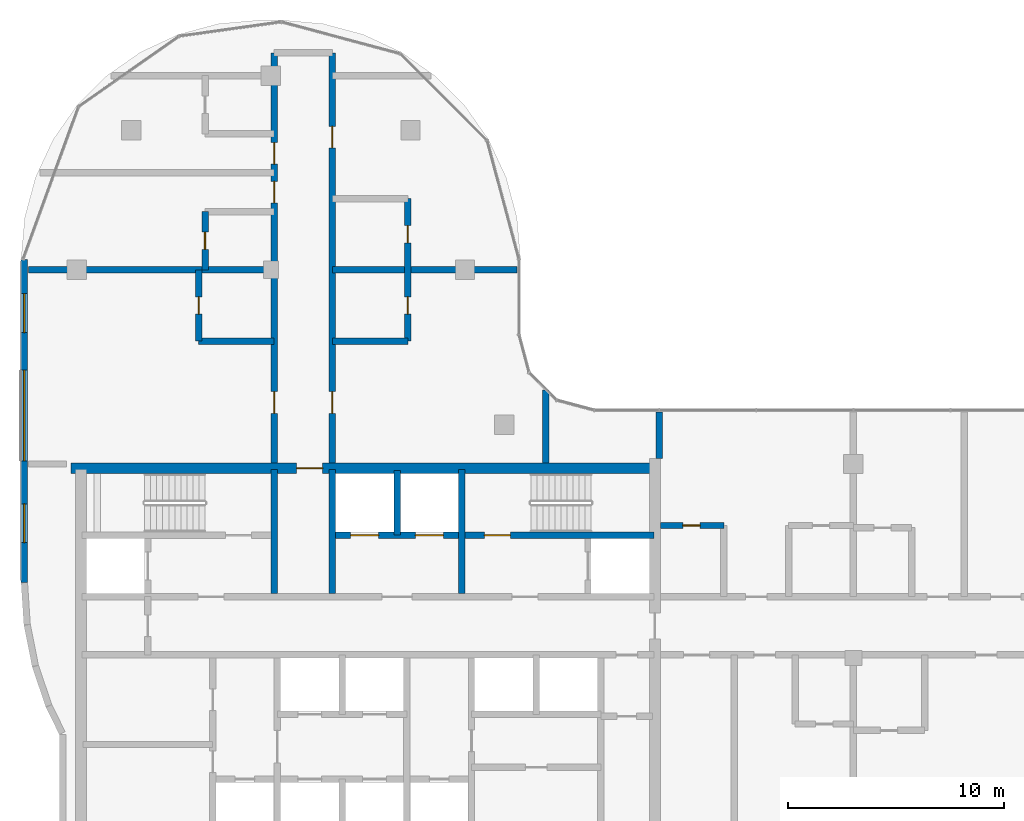
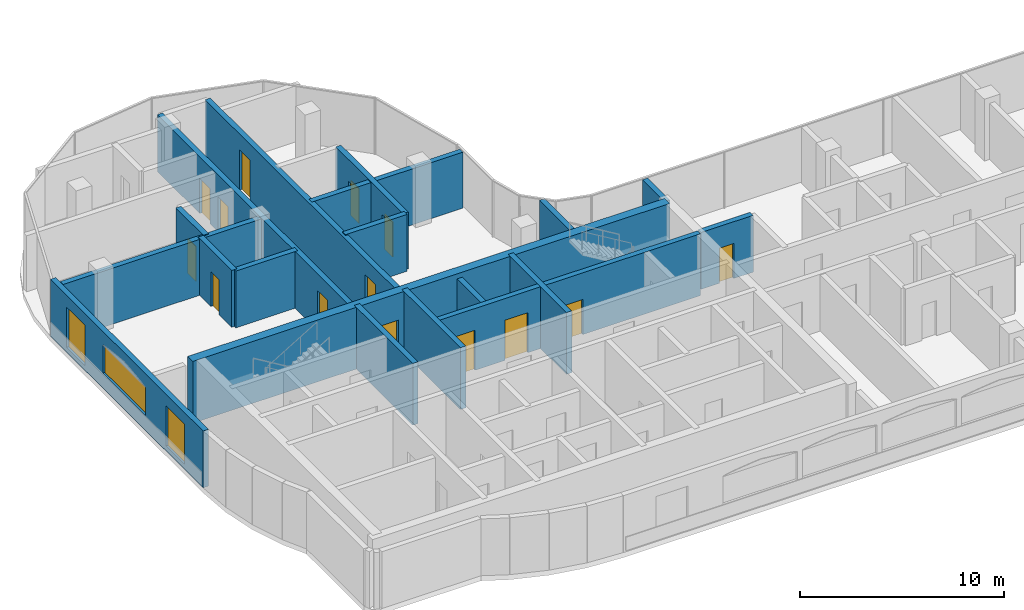
# One storey, part 10 of 18: 19 walls, 14 doors, 3 windows, 17 openings.
"""IFC4 building model written with IfcOpenShell, lengths in metres."""

from ifc_helpers import new_model, si_unit, direction, frame, frame_2d, origin, place, context, subcontext, project, spatial, rectangle, extrude, material, layer, layer_set, type_object, element, fill, save


model = new_model("IFC4")

# Units and contexts
model_context = context("Model", 3, precision=1e-05, world=origin(), true_north=direction((0.0, 1.0)))
body_context = subcontext(model_context, "Body", "Model", "MODEL_VIEW")
ifc_project = project(units=[si_unit("LENGTHUNIT", "METRE"), si_unit("AREAUNIT", "SQUARE_METRE"), si_unit("VOLUMEUNIT", "CUBIC_METRE"), si_unit("PLANEANGLEUNIT", "RADIAN"), si_unit("MASSUNIT", "GRAM", prefix="KILO")], contexts=[model_context])

# Site, building, storey
site_placement = place(None, origin())
site = spatial("IfcSite", under=ifc_project, at=site_placement, CompositionType="ELEMENT")
building_placement = place(site_placement, origin())
building = spatial("IfcBuilding", under=site, at=building_placement, Name="Ogive Portal Towers", CompositionType="ELEMENT")
storey_placement = place(building_placement, frame((0.0, 0.0, 240.199951171875)))
storey = spatial("IfcBuildingStorey", under=building, at=storey_placement, Name="L60", CompositionType="ELEMENT", Elevation=240.199951171875)

# Wall, openings, doors
ifc_material_1 = material(Name="Concrete C60/75", Category="concrete")
ifc_layer_1 = layer(ifc_material_1, 0.300048828125)
ifc_layer_set_1 = layer_set([ifc_layer_1], Name="CORE WALL 300 C60")
wall_type_1 = type_object("IfcWallType", Name="CORE WALL 300 C60", PredefinedType="SHEAR", material=ifc_layer_set_1)
wall_1_placement = place(storey_placement, frame((43.5, 36.199951171875, 0.0), z_axis=(0.0, 0.0, 1.0), x_axis=(1.0, 0.0, 0.0)))
wall_1 = element("IfcWall", 1, at=wall_1_placement, inside=storey, type_object=wall_type_1, Name="Core wall Y3b L60", PredefinedType="SHEAR", context=body_context, shape_type="SweptSolid", body=[
    extrude(rectangle(XDim=14.75, YDim=0.300048828125, at=frame_2d((7.375, 0.0))), origin(), (0.0, 0.0, 1.0), 3.699951171875),
])
opening_1_placement = place(wall_1_placement, frame((6.89990234375, 0.0, 0.0)))
opening_1 = element("IfcOpeningElement", 2, at=opening_1_placement, cuts=wall_1, Name="Opening D26-006", PredefinedType="OPENING", context=body_context, shape_type="SweptSolid", body=[
    extrude(rectangle(XDim=1.199951171875, YDim=2.10009765625, at=frame_2d((0.60009765625, 1.050048828125))), frame((0.0, 0.16015625, 0.0), z_axis=(0.0, -1.0, 0.0), x_axis=(1.0, 0.0, 0.0)), (0.0, 0.0, 1.0), 0.320068359375),
])
opening_2_placement = place(wall_1_placement, frame((0.699951171875, 0.0, 0.0)))
opening_2 = element("IfcOpeningElement", 3, at=opening_2_placement, cuts=wall_1, Name="Opening D26-017", PredefinedType="OPENING", context=body_context, shape_type="SweptSolid", body=[
    extrude(rectangle(XDim=1.300048828125, YDim=2.39990234375, at=frame_2d((0.64990234375, 1.199951171875))), frame((0.0, 0.16015625, 0.0), z_axis=(0.0, -1.0, 0.0), x_axis=(1.0, 0.0, 0.0)), (0.0, 0.0, 1.0), 0.320068359375),
])
opening_3_placement = place(wall_1_placement, frame((3.699951171875, 0.0, 0.0)))
opening_3 = element("IfcOpeningElement", 4, at=opening_3_placement, cuts=wall_1, Name="Opening D26-018", PredefinedType="OPENING", context=body_context, shape_type="SweptSolid", body=[
    extrude(rectangle(XDim=1.300048828125, YDim=2.39990234375, at=frame_2d((0.64990234375, 1.199951171875))), frame((0.0, 0.16015625, 0.0), z_axis=(0.0, -1.0, 0.0), x_axis=(1.0, 0.0, 0.0)), (0.0, 0.0, 1.0), 0.320068359375),
])
ifc_material_2 = material(Name="Stainless steel", Category="steel")
door_type_1 = type_object("IfcDoorType", Name="DT-LD-1300x2400", OperationType="SLIDING_TO_LEFT", PredefinedType="DOOR", material=ifc_material_2)
door_1_placement = place(opening_2_placement, origin())
door_1 = element("IfcDoor", 5, at=door_1_placement, inside=storey, type_object=door_type_1, Name="Door D26-017", OperationType="SLIDING_TO_LEFT", OverallHeight=2.39990234375, OverallWidth=1.300048828125, PredefinedType="DOOR", context=body_context, shape_type="SweptSolid", body=[
    extrude(rectangle(XDim=1.300048828125, YDim=2.39990234375, at=frame_2d((0.64990234375, 1.199951171875))), frame((0.0, 0.02490234375, 0.0), z_axis=(0.0, -1.0, 0.0), x_axis=(1.0, 0.0, 0.0)), (0.0, 0.0, 1.0), 0.050048828125),
])
fill(opening_2, door_1)
door_2_placement = place(opening_3_placement, origin())
door_2 = element("IfcDoor", 6, at=door_2_placement, inside=storey, type_object=door_type_1, Name="Door D26-018", OperationType="SLIDING_TO_LEFT", OverallHeight=2.39990234375, OverallWidth=1.300048828125, PredefinedType="DOOR", context=body_context, shape_type="SweptSolid", body=[
    extrude(rectangle(XDim=1.300048828125, YDim=2.39990234375, at=frame_2d((0.64990234375, 1.199951171875))), frame((0.0, 0.02490234375, 0.0), z_axis=(0.0, -1.0, 0.0), x_axis=(1.0, 0.0, 0.0)), (0.0, 0.0, 1.0), 0.050048828125),
])
fill(opening_3, door_2)
ifc_material_3 = material(Name="Steel fire door", Category="steel")
door_type_2 = type_object("IfcDoorType", Name="DT-SWING-1200x2100-FD90S", OperationType="SINGLE_SWING_LEFT", PredefinedType="DOOR", material=ifc_material_3)
door_3_placement = place(opening_1_placement, origin())
door_3 = element("IfcDoor", 7, at=door_3_placement, inside=storey, type_object=door_type_2, Name="Door D26-006", OperationType="SINGLE_SWING_LEFT", OverallHeight=2.10009765625, OverallWidth=1.199951171875, PredefinedType="DOOR", context=body_context, shape_type="SweptSolid", body=[
    extrude(rectangle(XDim=1.199951171875, YDim=2.10009765625, at=frame_2d((0.60009765625, 1.050048828125))), frame((0.0, 0.02490234375, 0.0), z_axis=(0.0, -1.0, 0.0), x_axis=(1.0, 0.0, 0.0)), (0.0, 0.0, 1.0), 0.050048828125),
])
fill(opening_1, door_3)

# Walls
for number, where, z_axis, x_axis, name in (
    (8, (40.64990234375, 33.5, 0.0), (0.0, 0.0, 1.0), (0.0, 1.0, 0.0), "Core wall X6 L60"),
    (9, (43.35009765625, 33.5, 0.0), (0.0, 0.0, 1.0), (0.0, 1.0, 0.0), "Core wall X7 L60"),
    (10, (49.35009765625, 33.5, 0.0), (0.0, 0.0, 1.0), (0.0, 1.0, 0.0), "Core wall X9 L60"),
):
    element("IfcWall", number, at=place(storey_placement, frame(where, z_axis=z_axis, x_axis=x_axis)), inside=storey, type_object=wall_type_1, Name=name, PredefinedType="SHEAR", context=body_context, shape_type="SweptSolid", body=[
        extrude(rectangle(XDim=5.75, YDim=0.300048828125, at=frame_2d((2.875, 0.0))), origin(), (0.0, 0.0, 1.0), 3.699951171875),
    ])

# Wall, opening, door
ifc_layer_2 = layer(ifc_material_1, 0.5)
ifc_layer_set_2 = layer_set([ifc_layer_2], Name="CORE WALL 500 C60")
wall_type_2 = type_object("IfcWallType", Name="CORE WALL 500 C60", PredefinedType="SHEAR", material=ifc_layer_set_2)
wall_2_placement = place(storey_placement, frame((31.25, 39.300048828125, 0.0), z_axis=(0.0, 0.0, 1.0), x_axis=(1.0, 0.0, 0.0)))
wall_2 = element("IfcWall", 11, at=wall_2_placement, inside=storey, type_object=wall_type_2, Name="Core wall N L60", PredefinedType="SHEAR", context=body_context, shape_type="SweptSolid", body=[
    extrude(rectangle(XDim=27.0, YDim=0.5, at=frame_2d((13.5, 0.0))), origin(), (0.0, 0.0, 1.0), 3.699951171875),
])
opening_4_placement = place(wall_2_placement, frame((10.449951171875, 0.0, 0.0)))
opening_4 = element("IfcOpeningElement", 12, at=opening_4_placement, cuts=wall_2, Name="Opening D26-012", PredefinedType="OPENING", context=body_context, shape_type="SweptSolid", body=[
    extrude(rectangle(XDim=1.199951171875, YDim=2.10009765625, at=frame_2d((0.60009765625, 1.050048828125))), frame((0.0, 0.260009765625, 0.0), z_axis=(0.0, -1.0, 0.0), x_axis=(1.0, 0.0, 0.0)), (0.0, 0.0, 1.0), 0.52001953125),
])
door_4_placement = place(opening_4_placement, origin())
door_4 = element("IfcDoor", 13, at=door_4_placement, inside=storey, type_object=door_type_2, Name="Door D26-012", OperationType="SINGLE_SWING_RIGHT", OverallHeight=2.10009765625, OverallWidth=1.199951171875, PredefinedType="DOOR", context=body_context, shape_type="SweptSolid", body=[
    extrude(rectangle(XDim=1.199951171875, YDim=2.10009765625, at=frame_2d((0.60009765625, 1.050048828125))), frame((0.0, 0.02490234375, 0.0), z_axis=(0.0, -1.0, 0.0), x_axis=(1.0, 0.0, 0.0)), (0.0, 0.0, 1.0), 0.050048828125),
])
fill(opening_4, door_4)

# Wall, openings, windows
ifc_material_4 = material(Name="Limestone cladding on lightweight block wall", Category="masonry")
ifc_layer_3 = layer(ifc_material_4, 0.300048828125)
ifc_layer_set_3 = layer_set([ifc_layer_3], Name="EXTERNAL WALL 300 STONE")
wall_type_3 = type_object("IfcWallType", Name="EXTERNAL WALL 300 STONE", PredefinedType="SOLIDWALL", material=ifc_layer_set_3)
wall_3_placement = place(storey_placement, frame((29.074951171875, 48.98583984375, 0.0), z_axis=(0.0, 0.0, 1.0), x_axis=(0.0, -1.0, 0.0)))
wall_3 = element("IfcWall", 14, at=wall_3_placement, inside=storey, type_object=wall_type_3, Name="A:L60:f27:r0:wall", PredefinedType="SOLIDWALL", context=body_context, shape_type="SweptSolid", body=[
    extrude(rectangle(XDim=14.97607421875, YDim=0.300048828125, at=frame_2d((7.488037109375, 0.0))), origin(), (0.0, 0.0, 1.0), 3.400146484375),
])
opening_5_placement = place(wall_3_placement, frame((1.593017578125, 0.0, 0.300048828125)))
opening_5 = element("IfcOpeningElement", 15, at=opening_5_placement, cuts=wall_3, Name="Opening WN10", PredefinedType="OPENING", context=body_context, shape_type="SweptSolid", body=[
    extrude(rectangle(XDim=1.800048828125, YDim=2.39990234375, at=frame_2d((0.89990234375, 1.199951171875))), frame((0.0, 0.16015625, 0.0), z_axis=(0.0, -1.0, 0.0), x_axis=(1.0, 0.0, 0.0)), (0.0, 0.0, 1.0), 0.320068359375),
])
opening_6_placement = place(wall_3_placement, frame((5.135986328125, 0.0, 0.89990234375)))
opening_6 = element("IfcOpeningElement", 16, at=opening_6_placement, cuts=wall_3, Name="Opening WN13", PredefinedType="OPENING", context=body_context, shape_type="SweptSolid", body=[
    extrude(rectangle(XDim=4.199951171875, YDim=1.699951171875, at=frame_2d((2.10009765625, 0.85009765625))), frame((0.0, 0.16015625, 0.0), z_axis=(0.0, -1.0, 0.0), x_axis=(1.0, 0.0, 0.0)), (0.0, 0.0, 1.0), 0.320068359375),
])
opening_7_placement = place(wall_3_placement, frame((11.3310546875, 0.0, 0.300048828125)))
opening_7 = element("IfcOpeningElement", 17, at=opening_7_placement, cuts=wall_3, Name="Opening WN10", PredefinedType="OPENING", context=body_context, shape_type="SweptSolid", body=[
    extrude(rectangle(XDim=1.800048828125, YDim=2.39990234375, at=frame_2d((0.89990234375, 1.199951171875))), frame((0.0, 0.16015625, 0.0), z_axis=(0.0, -1.0, 0.0), x_axis=(1.0, 0.0, 0.0)), (0.0, 0.0, 1.0), 0.320068359375),
])
ifc_material_5 = material(Name="Glass, clear low-iron insulated glazing", Category="glass")
window_type_1 = type_object("IfcWindowType", Name="WINDOW RIBBON LANCET 4200x1700", PartitioningType="TRIPLE_PANEL_VERTICAL", PredefinedType="WINDOW", material=ifc_material_5)
window_1_placement = place(opening_6_placement, origin())
window_1 = element("IfcWindow", 18, at=window_1_placement, inside=storey, type_object=window_type_1, Name="A:L60:f27:r0:w1", OverallHeight=1.699951171875, OverallWidth=4.199951171875, PartitioningType="SINGLE_PANEL", PredefinedType="WINDOW", context=body_context, shape_type="SweptSolid", body=[
    extrude(rectangle(XDim=4.199951171875, YDim=1.699951171875, at=frame_2d((2.10009765625, 0.85009765625))), frame((0.0, 0.030029296875, 0.0), z_axis=(0.0, -1.0, 0.0), x_axis=(1.0, 0.0, 0.0)), (0.0, 0.0, 1.0), 0.06005859375),
])
fill(opening_6, window_1)
window_type_2 = type_object("IfcWindowType", Name="WINDOW SUITE CORNER 1800x2400", PartitioningType="DOUBLE_PANEL_VERTICAL", PredefinedType="WINDOW", material=ifc_material_5)
window_2_placement = place(opening_5_placement, origin())
window_2 = element("IfcWindow", 19, at=window_2_placement, inside=storey, type_object=window_type_2, Name="A:L60:f27:r0:w0", OverallHeight=2.39990234375, OverallWidth=1.800048828125, PartitioningType="SINGLE_PANEL", PredefinedType="WINDOW", context=body_context, shape_type="SweptSolid", body=[
    extrude(rectangle(XDim=1.800048828125, YDim=2.39990234375, at=frame_2d((0.89990234375, 1.199951171875))), frame((0.0, 0.030029296875, 0.0), z_axis=(0.0, -1.0, 0.0), x_axis=(1.0, 0.0, 0.0)), (0.0, 0.0, 1.0), 0.06005859375),
])
fill(opening_5, window_2)
window_3_placement = place(opening_7_placement, origin())
window_3 = element("IfcWindow", 20, at=window_3_placement, inside=storey, type_object=window_type_2, Name="A:L60:f27:r0:w2", OverallHeight=2.39990234375, OverallWidth=1.800048828125, PartitioningType="SINGLE_PANEL", PredefinedType="WINDOW", context=body_context, shape_type="SweptSolid", body=[
    extrude(rectangle(XDim=1.800048828125, YDim=2.39990234375, at=frame_2d((0.89990234375, 1.199951171875))), frame((0.0, 0.030029296875, 0.0), z_axis=(0.0, -1.0, 0.0), x_axis=(1.0, 0.0, 0.0)), (0.0, 0.0, 1.0), 0.06005859375),
])
fill(opening_7, window_3)

# Wall, opening, door
ifc_material_6 = material(Name="Gypsum board partition on steel studs", Category="steel")
ifc_layer_4 = layer(ifc_material_6, 0.300048828125)
ifc_layer_set_4 = layer_set([ifc_layer_4], Name="WT-PART-300-EI 60")
wall_type_4 = type_object("IfcWallType", Name="WT-PART-300-EI 60", PredefinedType="PARTITIONING", material=ifc_layer_set_4)
wall_4_placement = place(storey_placement, frame((58.550048828125, 36.64990234375, 0.0), z_axis=(0.0, 0.0, 1.0), x_axis=(1.0, 0.0, 0.0)))
wall_4 = element("IfcWall", 21, at=wall_4_placement, inside=storey, type_object=wall_type_4, Name="Wall L60:w011", PredefinedType="PARTITIONING", context=body_context, shape_type="SweptSolid", body=[
    extrude(rectangle(XDim=2.949951171875, YDim=0.300048828125, at=frame_2d((1.47509765625, 0.0))), origin(), (0.0, 0.0, 1.0), 3.400146484375),
])
opening_8_placement = place(wall_4_placement, frame((1.050048828125, 0.0, 0.0)))
opening_8 = element("IfcOpeningElement", 22, at=opening_8_placement, cuts=wall_4, Name="Opening D26-026", PredefinedType="OPENING", context=body_context, shape_type="SweptSolid", body=[
    extrude(rectangle(XDim=0.800048828125, YDim=2.10009765625, at=frame_2d((0.39990234375, 1.050048828125))), frame((0.0, 0.16015625, 0.0), z_axis=(0.0, -1.0, 0.0), x_axis=(1.0, 0.0, 0.0)), (0.0, 0.0, 1.0), 0.320068359375),
])
door_type_3 = type_object("IfcDoorType", Name="DT-BATH-800x2100-FD60S", OperationType="SINGLE_SWING_LEFT", PredefinedType="DOOR", material=ifc_material_3)
door_5_placement = place(opening_8_placement, origin())
door_5 = element("IfcDoor", 23, at=door_5_placement, inside=storey, type_object=door_type_3, Name="Door D26-026", OperationType="SINGLE_SWING_LEFT", OverallHeight=2.10009765625, OverallWidth=0.800048828125, PredefinedType="DOOR", context=body_context, shape_type="SweptSolid", body=[
    extrude(rectangle(XDim=0.800048828125, YDim=2.10009765625, at=frame_2d((0.39990234375, 1.050048828125))), frame((0.0, 0.02490234375, 0.0), z_axis=(0.0, -1.0, 0.0), x_axis=(1.0, 0.0, 0.0)), (0.0, 0.0, 1.0), 0.050048828125),
])
fill(opening_8, door_5)

# Walls
for number, where, z_axis, x_axis, name in (
    (24, (37.14990234375, 45.199951171875, 0.0), (0.0, 0.0, 1.0), (1.0, 0.0, 0.0), "Wall L60:w015"),
    (25, (43.35009765625, 45.199951171875, 0.0), (0.0, 0.0, 1.0), (1.0, 0.0, 0.0), "Wall L60:w016"),
):
    element("IfcWall", number, at=place(storey_placement, frame(where, z_axis=z_axis, x_axis=x_axis)), inside=storey, type_object=wall_type_4, Name=name, PredefinedType="PARTITIONING", context=body_context, shape_type="SweptSolid", body=[
        extrude(rectangle(XDim=3.5, YDim=0.300048828125, at=frame_2d((1.75, 0.0))), origin(), (0.0, 0.0, 1.0), 3.400146484375),
    ])
wall_5_placement = place(storey_placement, frame((29.27490234375, 48.5, 0.0), z_axis=(0.0, 0.0, 1.0), x_axis=(1.0, 0.0, 0.0)))
element("IfcWall", 26, at=wall_5_placement, inside=storey, type_object=wall_type_4, Name="Wall L60:w017", PredefinedType="PARTITIONING", context=body_context, shape_type="SweptSolid", body=[
    extrude(rectangle(XDim=11.375, YDim=0.300048828125, at=frame_2d((5.6875, 0.0))), origin(), (0.0, 0.0, 1.0), 3.35009765625),
])
wall_6_placement = place(storey_placement, frame((43.35009765625, 48.5, 0.0), z_axis=(0.0, 0.0, 1.0), x_axis=(1.0, 0.0, 0.0)))
element("IfcWall", 27, at=wall_6_placement, inside=storey, type_object=wall_type_4, Name="Wall L60:w018", PredefinedType="PARTITIONING", context=body_context, shape_type="SweptSolid", body=[
    extrude(rectangle(XDim=8.554931640625, YDim=0.300048828125, at=frame_2d((4.27734375, 0.0))), origin(), (0.0, 0.0, 1.0), 3.35009765625),
])

# Wall, opening, door
wall_7_placement = place(storey_placement, frame((37.14990234375, 45.199951171875, 0.0), z_axis=(0.0, 0.0, 1.0), x_axis=(0.0, 1.0, 0.0)))
wall_7 = element("IfcWall", 28, at=wall_7_placement, inside=storey, type_object=wall_type_4, Name="Wall L60:w026", PredefinedType="PARTITIONING", context=body_context, shape_type="SweptSolid", body=[
    extrude(rectangle(XDim=3.300048828125, YDim=0.300048828125, at=frame_2d((1.64990234375, 0.0))), origin(), (0.0, 0.0, 1.0), 3.400146484375),
])
opening_9_placement = place(wall_7_placement, frame((1.25, 0.0, 0.0)))
opening_9 = element("IfcOpeningElement", 29, at=opening_9_placement, cuts=wall_7, Name="Opening D26-044", PredefinedType="OPENING", context=body_context, shape_type="SweptSolid", body=[
    extrude(rectangle(XDim=0.800048828125, YDim=2.10009765625, at=frame_2d((0.39990234375, 1.050048828125))), frame((0.0, 0.16015625, 0.0), z_axis=(0.0, -1.0, 0.0), x_axis=(1.0, 0.0, 0.0)), (0.0, 0.0, 1.0), 0.320068359375),
])
door_6_placement = place(opening_9_placement, origin())
door_6 = element("IfcDoor", 30, at=door_6_placement, inside=storey, type_object=door_type_3, Name="Door D26-044", OperationType="SINGLE_SWING_LEFT", OverallHeight=2.10009765625, OverallWidth=0.800048828125, PredefinedType="DOOR", context=body_context, shape_type="SweptSolid", body=[
    extrude(rectangle(XDim=0.800048828125, YDim=2.10009765625, at=frame_2d((0.39990234375, 1.050048828125))), frame((0.0, 0.02490234375, 0.0), z_axis=(0.0, -1.0, 0.0), x_axis=(1.0, 0.0, 0.0)), (0.0, 0.0, 1.0), 0.050048828125),
])
fill(opening_9, door_6)

wall_8_placement = place(storey_placement, frame((37.449951171875, 48.5, 0.0), z_axis=(0.0, 0.0, 1.0), x_axis=(0.0, 1.0, 0.0)))
wall_8 = element("IfcWall", 31, at=wall_8_placement, inside=storey, type_object=wall_type_4, Name="Wall L60:w027", PredefinedType="PARTITIONING", context=body_context, shape_type="SweptSolid", body=[
    extrude(rectangle(XDim=2.699951171875, YDim=0.300048828125, at=frame_2d((1.35009765625, 0.0))), origin(), (0.0, 0.0, 1.0), 3.400146484375),
])
opening_10_placement = place(wall_8_placement, frame((0.949951171875, 0.0, 0.0)))
opening_10 = element("IfcOpeningElement", 32, at=opening_10_placement, cuts=wall_8, Name="Opening D26-048", PredefinedType="OPENING", context=body_context, shape_type="SweptSolid", body=[
    extrude(rectangle(XDim=0.800048828125, YDim=2.10009765625, at=frame_2d((0.39990234375, 1.050048828125))), frame((0.0, 0.16015625, 0.0), z_axis=(0.0, -1.0, 0.0), x_axis=(1.0, 0.0, 0.0)), (0.0, 0.0, 1.0), 0.320068359375),
])
door_7_placement = place(opening_10_placement, origin())
door_7 = element("IfcDoor", 33, at=door_7_placement, inside=storey, type_object=door_type_3, Name="Door D26-048", OperationType="SINGLE_SWING_RIGHT", OverallHeight=2.10009765625, OverallWidth=0.800048828125, PredefinedType="DOOR", context=body_context, shape_type="SweptSolid", body=[
    extrude(rectangle(XDim=0.800048828125, YDim=2.10009765625, at=frame_2d((0.39990234375, 1.050048828125))), frame((0.0, 0.02490234375, 0.0), z_axis=(0.0, -1.0, 0.0), x_axis=(1.0, 0.0, 0.0)), (0.0, 0.0, 1.0), 0.050048828125),
])
fill(opening_10, door_7)

# Wall, openings, doors
wall_9_placement = place(storey_placement, frame((40.64990234375, 39.550048828125, 0.0), z_axis=(0.0, 0.0, 1.0), x_axis=(0.0, 1.0, 0.0)))
wall_9 = element("IfcWall", 34, at=wall_9_placement, inside=storey, type_object=wall_type_4, Name="Wall L60:w029", PredefinedType="PARTITIONING", context=body_context, shape_type="SweptSolid", body=[
    extrude(rectangle(XDim=19.0, YDim=0.300048828125, at=frame_2d((9.5, 0.0))), origin(), (0.0, 0.0, 1.0), 3.400146484375),
])
opening_11_placement = place(wall_9_placement, frame((2.300048828125, 0.0, 0.0)))
opening_11 = element("IfcOpeningElement", 35, at=opening_11_placement, cuts=wall_9, Name="Opening D26-045", PredefinedType="OPENING", context=body_context, shape_type="SweptSolid", body=[
    extrude(rectangle(XDim=1.0, YDim=2.39990234375, at=frame_2d((0.5, 1.199951171875))), frame((0.0, 0.16015625, 0.0), z_axis=(0.0, -1.0, 0.0), x_axis=(1.0, 0.0, 0.0)), (0.0, 0.0, 1.0), 0.320068359375),
])
opening_12_placement = place(wall_9_placement, frame((12.050048828125, 0.0, 0.0)))
opening_12 = element("IfcOpeningElement", 36, at=opening_12_placement, cuts=wall_9, Name="Opening D26-049", PredefinedType="OPENING", context=body_context, shape_type="SweptSolid", body=[
    extrude(rectangle(XDim=1.0, YDim=2.10009765625, at=frame_2d((0.5, 1.050048828125))), frame((0.0, 0.16015625, 0.0), z_axis=(0.0, -1.0, 0.0), x_axis=(1.0, 0.0, 0.0)), (0.0, 0.0, 1.0), 0.320068359375),
])
opening_13_placement = place(wall_9_placement, frame((13.85009765625, 0.0, 0.0)))
opening_13 = element("IfcOpeningElement", 37, at=opening_13_placement, cuts=wall_9, Name="Opening D26-051", PredefinedType="OPENING", context=body_context, shape_type="SweptSolid", body=[
    extrude(rectangle(XDim=1.0, YDim=2.10009765625, at=frame_2d((0.5, 1.050048828125))), frame((0.0, 0.16015625, 0.0), z_axis=(0.0, -1.0, 0.0), x_axis=(1.0, 0.0, 0.0)), (0.0, 0.0, 1.0), 0.320068359375),
])
door_type_4 = type_object("IfcDoorType", Name="DT-ENTRY-1000x2100-FD60S", OperationType="SINGLE_SWING_LEFT", PredefinedType="DOOR", material=ifc_material_3)
door_8_placement = place(opening_12_placement, origin())
door_8 = element("IfcDoor", 38, at=door_8_placement, inside=storey, type_object=door_type_4, Name="Door D26-049", OperationType="SINGLE_SWING_LEFT", OverallHeight=2.10009765625, OverallWidth=1.0, PredefinedType="DOOR", context=body_context, shape_type="SweptSolid", body=[
    extrude(rectangle(XDim=1.0, YDim=2.10009765625, at=frame_2d((0.5, 1.050048828125))), frame((0.0, 0.02490234375, 0.0), z_axis=(0.0, -1.0, 0.0), x_axis=(1.0, 0.0, 0.0)), (0.0, 0.0, 1.0), 0.050048828125),
])
fill(opening_12, door_8)
door_9_placement = place(opening_13_placement, origin())
door_9 = element("IfcDoor", 39, at=door_9_placement, inside=storey, type_object=door_type_4, Name="Door D26-051", OperationType="SINGLE_SWING_LEFT", OverallHeight=2.10009765625, OverallWidth=1.0, PredefinedType="DOOR", context=body_context, shape_type="SweptSolid", body=[
    extrude(rectangle(XDim=1.0, YDim=2.10009765625, at=frame_2d((0.5, 1.050048828125))), frame((0.0, 0.02490234375, 0.0), z_axis=(0.0, -1.0, 0.0), x_axis=(1.0, 0.0, 0.0)), (0.0, 0.0, 1.0), 0.050048828125),
])
fill(opening_13, door_9)
door_type_5 = type_object("IfcDoorType", Name="DT-ENTRY-1000x2400-FD60S", OperationType="SINGLE_SWING_LEFT", PredefinedType="DOOR", material=ifc_material_3)
door_10_placement = place(opening_11_placement, origin())
door_10 = element("IfcDoor", 40, at=door_10_placement, inside=storey, type_object=door_type_5, Name="Door D26-045", OperationType="SINGLE_SWING_LEFT", OverallHeight=2.39990234375, OverallWidth=1.0, PredefinedType="DOOR", context=body_context, shape_type="SweptSolid", body=[
    extrude(rectangle(XDim=1.0, YDim=2.39990234375, at=frame_2d((0.5, 1.199951171875))), frame((0.0, 0.02490234375, 0.0), z_axis=(0.0, -1.0, 0.0), x_axis=(1.0, 0.0, 0.0)), (0.0, 0.0, 1.0), 0.050048828125),
])
fill(opening_11, door_10)

wall_10_placement = place(storey_placement, frame((43.35009765625, 39.550048828125, 0.0), z_axis=(0.0, 0.0, 1.0), x_axis=(0.0, 1.0, 0.0)))
wall_10 = element("IfcWall", 41, at=wall_10_placement, inside=storey, type_object=wall_type_4, Name="Wall L60:w030", PredefinedType="PARTITIONING", context=body_context, shape_type="SweptSolid", body=[
    extrude(rectangle(XDim=19.0, YDim=0.300048828125, at=frame_2d((9.5, 0.0))), origin(), (0.0, 0.0, 1.0), 3.35009765625),
])
opening_14_placement = place(wall_10_placement, frame((2.300048828125, 0.0, 0.0)))
opening_14 = element("IfcOpeningElement", 42, at=opening_14_placement, cuts=wall_10, Name="Opening D26-043", PredefinedType="OPENING", context=body_context, shape_type="SweptSolid", body=[
    extrude(rectangle(XDim=1.0, YDim=2.39990234375, at=frame_2d((0.5, 1.199951171875))), frame((0.0, 0.16015625, 0.0), z_axis=(0.0, -1.0, 0.0), x_axis=(1.0, 0.0, 0.0)), (0.0, 0.0, 1.0), 0.320068359375),
])
opening_15_placement = place(wall_10_placement, frame((14.60009765625, 0.0, 0.0)))
opening_15 = element("IfcOpeningElement", 43, at=opening_15_placement, cuts=wall_10, Name="Opening D26-047", PredefinedType="OPENING", context=body_context, shape_type="SweptSolid", body=[
    extrude(rectangle(XDim=1.0, YDim=2.39990234375, at=frame_2d((0.5, 1.199951171875))), frame((0.0, 0.16015625, 0.0), z_axis=(0.0, -1.0, 0.0), x_axis=(1.0, 0.0, 0.0)), (0.0, 0.0, 1.0), 0.320068359375),
])
door_11_placement = place(opening_14_placement, origin())
door_11 = element("IfcDoor", 44, at=door_11_placement, inside=storey, type_object=door_type_5, Name="Door D26-043", OperationType="SINGLE_SWING_LEFT", OverallHeight=2.39990234375, OverallWidth=1.0, PredefinedType="DOOR", context=body_context, shape_type="SweptSolid", body=[
    extrude(rectangle(XDim=1.0, YDim=2.39990234375, at=frame_2d((0.5, 1.199951171875))), frame((0.0, 0.02490234375, 0.0), z_axis=(0.0, -1.0, 0.0), x_axis=(1.0, 0.0, 0.0)), (0.0, 0.0, 1.0), 0.050048828125),
])
fill(opening_14, door_11)
door_12_placement = place(opening_15_placement, origin())
door_12 = element("IfcDoor", 45, at=door_12_placement, inside=storey, type_object=door_type_5, Name="Door D26-047", OperationType="SINGLE_SWING_RIGHT", OverallHeight=2.39990234375, OverallWidth=1.0, PredefinedType="DOOR", context=body_context, shape_type="SweptSolid", body=[
    extrude(rectangle(XDim=1.0, YDim=2.39990234375, at=frame_2d((0.5, 1.199951171875))), frame((0.0, 0.02490234375, 0.0), z_axis=(0.0, -1.0, 0.0), x_axis=(1.0, 0.0, 0.0)), (0.0, 0.0, 1.0), 0.050048828125),
])
fill(opening_15, door_12)

wall_11_placement = place(storey_placement, frame((46.85009765625, 45.199951171875, 0.0), z_axis=(0.0, 0.0, 1.0), x_axis=(0.0, 1.0, 0.0)))
wall_11 = element("IfcWall", 46, at=wall_11_placement, inside=storey, type_object=wall_type_4, Name="Wall L60:w031", PredefinedType="PARTITIONING", context=body_context, shape_type="SweptSolid", body=[
    extrude(rectangle(XDim=6.60009765625, YDim=0.300048828125, at=frame_2d((3.300048828125, 0.0))), origin(), (0.0, 0.0, 1.0), 3.400146484375),
])
opening_16_placement = place(wall_11_placement, frame((1.25, 0.0, 0.0)))
opening_16 = element("IfcOpeningElement", 47, at=opening_16_placement, cuts=wall_11, Name="Opening D26-042", PredefinedType="OPENING", context=body_context, shape_type="SweptSolid", body=[
    extrude(rectangle(XDim=0.800048828125, YDim=2.10009765625, at=frame_2d((0.39990234375, 1.050048828125))), frame((0.0, 0.16015625, 0.0), z_axis=(0.0, -1.0, 0.0), x_axis=(1.0, 0.0, 0.0)), (0.0, 0.0, 1.0), 0.320068359375),
])
opening_17_placement = place(wall_11_placement, frame((4.550048828125, 0.0, 0.0)))
opening_17 = element("IfcOpeningElement", 48, at=opening_17_placement, cuts=wall_11, Name="Opening D26-046", PredefinedType="OPENING", context=body_context, shape_type="SweptSolid", body=[
    extrude(rectangle(XDim=0.800048828125, YDim=2.10009765625, at=frame_2d((0.39990234375, 1.050048828125))), frame((0.0, 0.16015625, 0.0), z_axis=(0.0, -1.0, 0.0), x_axis=(1.0, 0.0, 0.0)), (0.0, 0.0, 1.0), 0.320068359375),
])
door_13_placement = place(opening_16_placement, origin())
door_13 = element("IfcDoor", 49, at=door_13_placement, inside=storey, type_object=door_type_3, Name="Door D26-042", OperationType="SINGLE_SWING_RIGHT", OverallHeight=2.10009765625, OverallWidth=0.800048828125, PredefinedType="DOOR", context=body_context, shape_type="SweptSolid", body=[
    extrude(rectangle(XDim=0.800048828125, YDim=2.10009765625, at=frame_2d((0.39990234375, 1.050048828125))), frame((0.0, 0.02490234375, 0.0), z_axis=(0.0, -1.0, 0.0), x_axis=(1.0, 0.0, 0.0)), (0.0, 0.0, 1.0), 0.050048828125),
])
fill(opening_16, door_13)
door_14_placement = place(opening_17_placement, origin())
door_14 = element("IfcDoor", 50, at=door_14_placement, inside=storey, type_object=door_type_3, Name="Door D26-046", OperationType="SINGLE_SWING_LEFT", OverallHeight=2.10009765625, OverallWidth=0.800048828125, PredefinedType="DOOR", context=body_context, shape_type="SweptSolid", body=[
    extrude(rectangle(XDim=0.800048828125, YDim=2.10009765625, at=frame_2d((0.39990234375, 1.050048828125))), frame((0.0, 0.02490234375, 0.0), z_axis=(0.0, -1.0, 0.0), x_axis=(1.0, 0.0, 0.0)), (0.0, 0.0, 1.0), 0.050048828125),
])
fill(opening_17, door_14)

# Walls
wall_12_placement = place(storey_placement, frame((53.25, 39.550048828125, 0.0), z_axis=(0.0, 0.0, 1.0), x_axis=(0.0, 1.0, 0.0)))
element("IfcWall", 51, at=wall_12_placement, inside=storey, type_object=wall_type_4, Name="Wall L60:w032", PredefinedType="PARTITIONING", context=body_context, shape_type="SweptSolid", body=[
    extrude(rectangle(XDim=3.369873046875, YDim=0.300048828125, at=frame_2d((1.68505859375, 0.0))), origin(), (0.0, 0.0, 1.0), 3.35009765625),
])
wall_13_placement = place(storey_placement, frame((58.5, 39.75, 0.0), z_axis=(0.0, 0.0, 1.0), x_axis=(0.0, 1.0, 0.0)))
element("IfcWall", 52, at=wall_13_placement, inside=storey, type_object=wall_type_4, Name="Wall L60:w034", PredefinedType="PARTITIONING", context=body_context, shape_type="SweptSolid", body=[
    extrude(rectangle(XDim=2.155029296875, YDim=0.300048828125, at=frame_2d((1.07763671875, 0.0))), origin(), (0.0, 0.0, 1.0), 3.35009765625),
])
ifc_material_7 = material(Name="Concrete C40/50", Category="concrete")
ifc_layer_5 = layer(ifc_material_7, 0.300048828125)
ifc_layer_set_5 = layer_set([ifc_layer_5], Name="WT-SHAFT-300")
wall_type_5 = type_object("IfcWallType", Name="WT-SHAFT-300", PredefinedType="SOLIDWALL", material=ifc_layer_set_5)
wall_14_placement = place(storey_placement, frame((46.35009765625, 36.199951171875, 0.0), z_axis=(0.0, 0.0, 1.0), x_axis=(0.0, 1.0, 0.0)))
element("IfcWall", 53, at=wall_14_placement, inside=storey, type_object=wall_type_5, Name="Wall pw:010:L60", PredefinedType="SOLIDWALL", context=body_context, shape_type="SweptSolid", body=[
    extrude(rectangle(XDim=3.0, YDim=0.300048828125, at=frame_2d((1.5, 0.0))), origin(), (0.0, 0.0, 1.0), 3.400146484375),
])

save(model, "model.ifc")
